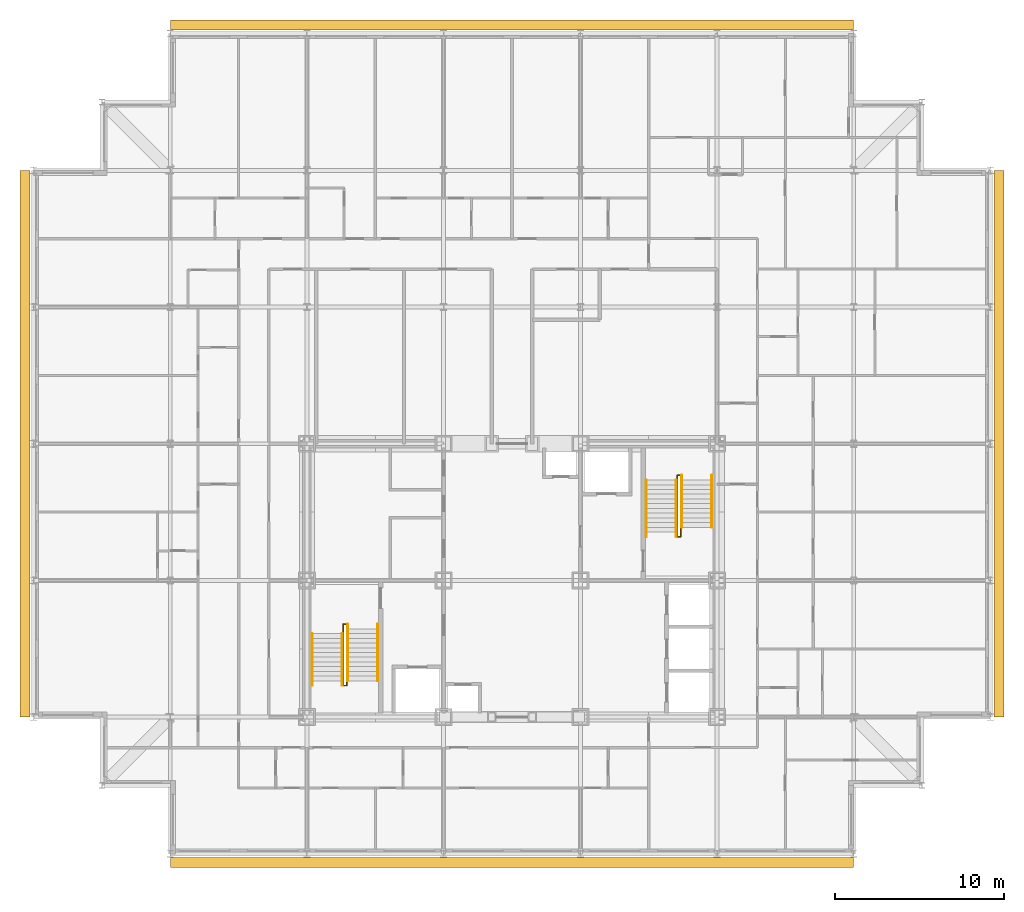
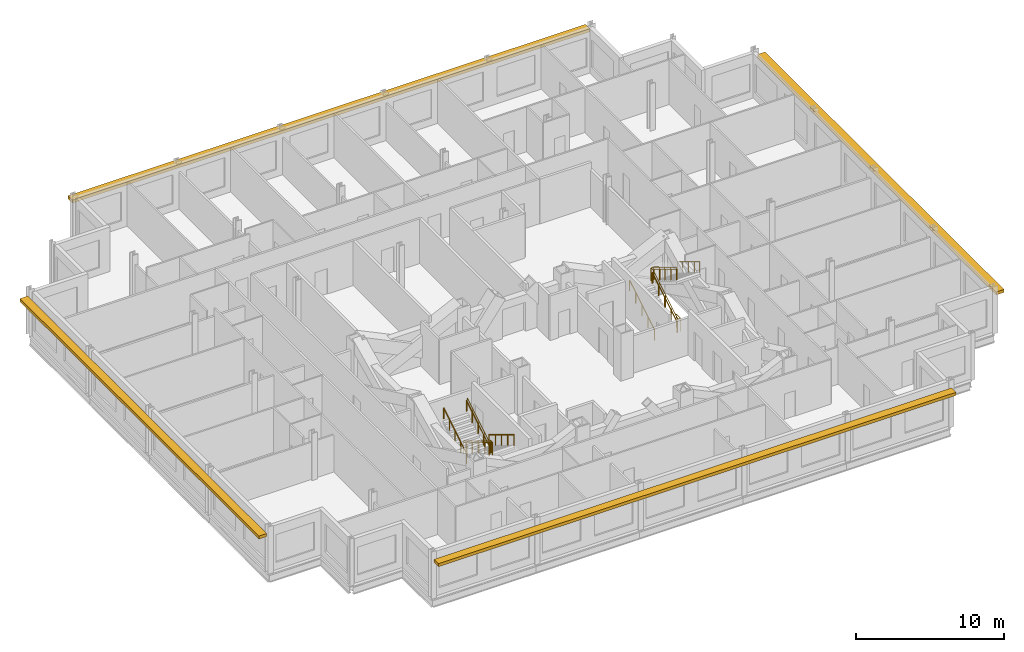
# One storey, part 15 of 15: 10 railings, 4 shading devices.
"""IFC4 building model written with IfcOpenShell, lengths in metres."""

from ifc_helpers import new_model, si_unit, direction, frame, origin, origin_2d, place, context, subcontext, project, spatial, rectangle, circle, extrude, material, type_object, element, save


model = new_model("IFC4")

# Units and contexts
model_context = context("Model", 3, precision=1e-05, world=origin(), true_north=direction((0.0, 1.0)))
body_context = subcontext(model_context, "Body", "Model", "MODEL_VIEW")
ifc_project = project(units=[si_unit("LENGTHUNIT", "METRE"), si_unit("AREAUNIT", "SQUARE_METRE"), si_unit("VOLUMEUNIT", "CUBIC_METRE"), si_unit("PLANEANGLEUNIT", "RADIAN"), si_unit("MASSUNIT", "GRAM", prefix="KILO")], contexts=[model_context])

# Site, building, storey
site_placement = place(None, origin())
site = spatial("IfcSite", under=ifc_project, at=site_placement, CompositionType="ELEMENT")
building_placement = place(site_placement, origin())
building = spatial("IfcBuilding", under=site, at=building_placement, Name="Kopane Lantern Tower", CompositionType="ELEMENT")
storey_placement = place(building_placement, frame((0.0, 0.0, 269.699951171875)))
storey = spatial("IfcBuildingStorey", under=building, at=storey_placement, Name="L69", CompositionType="ELEMENT", Elevation=269.699951171875)

# Railings
ifc_material_1 = material(Name="Steel", Category="steel")
railing_type_1 = type_object("IfcRailingType", Name="STAIR GUARD 1100", PredefinedType="GUARDRAIL", material=ifc_material_1)
railing_1_placement = place(storey_placement, frame((18.35009765625, 29.25, 0.0)))
element("IfcRailing", 1, at=railing_1_placement, inside=storey, type_object=railing_type_1, Name="ST1 well guard L69", PredefinedType="GUARDRAIL", context=body_context, shape_type="SweptSolid", body=[
    extrude(circle(Radius=0.02392578125, at=origin_2d()), frame((0.0, 0.0, 1.076171875), z_axis=(0.0, 1.0, 0.0), x_axis=(-1.0, 0.0, 0.0)), (0.0, 0.0, 1.0), 0.56005859375),
    extrude(circle(Radius=0.02392578125, at=origin_2d()), frame((0.0, 0.56005859375, 1.076171875), z_axis=(1.0, 0.0, 0.0), x_axis=(0.0, 1.0, 0.0)), (0.0, 0.0, 1.0), 0.199951171875),
    extrude(circle(Radius=0.02392578125, at=origin_2d()), frame((0.199951171875, 0.56005859375, 1.076171875), z_axis=(0.0, -0.855368916264, 0.518019321155), x_axis=(1.0, 0.0, 0.0)), (0.0, 0.0, 1.0), 3.92822265625),
    extrude(circle(Radius=0.02392578125, at=origin_2d()), frame((0.199951171875, -2.800048828125, 3.11083984375), z_axis=(0.0, -1.0, 0.0), x_axis=(1.0, 0.0, 0.0)), (0.0, 0.0, 1.0), 0.280029296875),
    extrude(circle(Radius=0.02392578125, at=origin_2d()), frame((0.199951171875, -3.080078125, 3.11083984375), z_axis=(-1.0, 0.0, 0.0), x_axis=(0.0, -1.0, 0.0)), (0.0, 0.0, 1.0), 0.199951171875),
    extrude(circle(Radius=0.02392578125, at=origin_2d()), frame((0.0, -3.080078125, 3.11083984375), z_axis=(0.0, 0.855379917629, 0.518001154937), x_axis=(-1.0, 0.0, 0.0)), (0.0, 0.0, 1.0), 3.600830078125),
    extrude(circle(Radius=0.02099609375, at=origin_2d()), origin(), (0.0, 0.0, 1.0), 1.052001953125),
    extrude(circle(Radius=0.02099609375, at=origin_2d()), frame((0.0, 0.56005859375, 0.0)), (0.0, 0.0, 1.0), 1.052001953125),
    extrude(circle(Radius=0.02099609375, at=origin_2d()), frame((0.199951171875, 0.56005859375, 0.0)), (0.0, 0.0, 1.0), 1.052001953125),
    extrude(circle(Radius=0.02099609375, at=origin_2d()), frame((0.199951171875, -0.280029296875, 0.5087890625)), (0.0, 0.0, 1.0), 1.052001953125),
    extrude(circle(Radius=0.02099609375, at=origin_2d()), frame((0.199951171875, -1.1201171875, 1.017578125)), (0.0, 0.0, 1.0), 1.052001953125),
    extrude(circle(Radius=0.02099609375, at=origin_2d()), frame((0.199951171875, -1.9599609375, 1.526123046875)), (0.0, 0.0, 1.0), 1.052001953125),
    extrude(circle(Radius=0.02099609375, at=origin_2d()), frame((0.199951171875, -2.800048828125, 2.034912109375)), (0.0, 0.0, 1.0), 1.052001953125),
    extrude(circle(Radius=0.02099609375, at=origin_2d()), frame((0.199951171875, -3.080078125, 2.034912109375)), (0.0, 0.0, 1.0), 1.052001953125),
    extrude(circle(Radius=0.02099609375, at=origin_2d()), frame((0.0, -3.080078125, 2.034912109375)), (0.0, 0.0, 1.0), 1.052001953125),
    extrude(circle(Radius=0.02099609375, at=origin_2d()), frame((0.0, -2.31005859375, 2.501220703125)), (0.0, 0.0, 1.0), 1.052001953125),
    extrude(circle(Radius=0.02099609375, at=origin_2d()), frame((0.0, -1.5400390625, 2.967529296875)), (0.0, 0.0, 1.0), 1.052001953125),
    extrude(circle(Radius=0.02099609375, at=origin_2d()), frame((0.0, -0.77001953125, 3.433837890625)), (0.0, 0.0, 1.0), 1.052001953125),
    extrude(circle(Radius=0.02099609375, at=origin_2d()), frame((0.0, 0.0, 3.900146484375)), (0.0, 0.0, 1.0), 1.052001953125),
])
railing_2_placement = place(storey_placement, frame((38.35009765625, 35.550048828125, 0.0)))
element("IfcRailing", 2, at=railing_2_placement, inside=storey, type_object=railing_type_1, Name="ST2 well guard L69", PredefinedType="GUARDRAIL", context=body_context, shape_type="SweptSolid", body=[
    extrude(circle(Radius=0.02392578125, at=origin_2d()), frame((0.0, 0.0, 1.076171875), z_axis=(0.0, -1.0, 0.0), x_axis=(1.0, 0.0, 0.0)), (0.0, 0.0, 1.0), 0.56005859375),
    extrude(circle(Radius=0.02392578125, at=origin_2d()), frame((0.0, -0.56005859375, 1.076171875), z_axis=(-1.0, 0.0, 0.0), x_axis=(0.0, -1.0, 0.0)), (0.0, 0.0, 1.0), 0.2001953125),
    extrude(circle(Radius=0.02392578125, at=origin_2d()), frame((-0.2001953125, -0.56005859375, 1.076171875), z_axis=(0.0, 0.855368916264, 0.518019321155), x_axis=(-1.0, 0.0, 0.0)), (0.0, 0.0, 1.0), 3.92822265625),
    extrude(circle(Radius=0.02392578125, at=origin_2d()), frame((-0.2001953125, 2.800048828125, 3.11083984375), z_axis=(0.0, 1.0, 0.0), x_axis=(-1.0, 0.0, 0.0)), (0.0, 0.0, 1.0), 0.27978515625),
    extrude(circle(Radius=0.02392578125, at=origin_2d()), frame((-0.2001953125, 3.079833984375, 3.11083984375), z_axis=(1.0, 0.0, 0.0), x_axis=(0.0, 1.0, 0.0)), (0.0, 0.0, 1.0), 0.2001953125),
    extrude(circle(Radius=0.02392578125, at=origin_2d()), frame((0.0, 3.079833984375, 3.11083984375), z_axis=(0.0, -0.855361723277, 0.518031198243), x_axis=(1.0, 0.0, 0.0)), (0.0, 0.0, 1.0), 3.6005859375),
    extrude(circle(Radius=0.02099609375, at=origin_2d()), origin(), (0.0, 0.0, 1.0), 1.052001953125),
    extrude(circle(Radius=0.02099609375, at=origin_2d()), frame((0.0, -0.56005859375, 0.0)), (0.0, 0.0, 1.0), 1.052001953125),
    extrude(circle(Radius=0.02099609375, at=origin_2d()), frame((-0.2001953125, -0.56005859375, 0.0)), (0.0, 0.0, 1.0), 1.052001953125),
    extrude(circle(Radius=0.02099609375, at=origin_2d()), frame((-0.2001953125, 0.280029296875, 0.5087890625)), (0.0, 0.0, 1.0), 1.052001953125),
    extrude(circle(Radius=0.02099609375, at=origin_2d()), frame((-0.2001953125, 1.1201171875, 1.017578125)), (0.0, 0.0, 1.0), 1.052001953125),
    extrude(circle(Radius=0.02099609375, at=origin_2d()), frame((-0.2001953125, 1.9599609375, 1.526123046875)), (0.0, 0.0, 1.0), 1.052001953125),
    extrude(circle(Radius=0.02099609375, at=origin_2d()), frame((-0.2001953125, 2.800048828125, 2.034912109375)), (0.0, 0.0, 1.0), 1.052001953125),
    extrude(circle(Radius=0.02099609375, at=origin_2d()), frame((-0.2001953125, 3.079833984375, 2.034912109375)), (0.0, 0.0, 1.0), 1.052001953125),
    extrude(circle(Radius=0.02099609375, at=origin_2d()), frame((0.0, 3.079833984375, 2.034912109375)), (0.0, 0.0, 1.0), 1.052001953125),
    extrude(circle(Radius=0.02099609375, at=origin_2d()), frame((0.0, 2.309814453125, 2.501220703125)), (0.0, 0.0, 1.0), 1.052001953125),
    extrude(circle(Radius=0.02099609375, at=origin_2d()), frame((0.0, 1.5400390625, 2.967529296875)), (0.0, 0.0, 1.0), 1.052001953125),
    extrude(circle(Radius=0.02099609375, at=origin_2d()), frame((0.0, 0.77001953125, 3.433837890625)), (0.0, 0.0, 1.0), 1.052001953125),
    extrude(circle(Radius=0.02099609375, at=origin_2d()), frame((0.0, 0.0, 3.900146484375)), (0.0, 0.0, 1.0), 1.052001953125),
])
ifc_material_2 = material(Name="Steel", Category="steel")
railing_type_2 = type_object("IfcRailingType", Name="STAIR HANDRAIL 900", PredefinedType="HANDRAIL", material=ifc_material_2)
for number, where, name in (
    (3, (20.389892578125, 29.81005859375, 0.0), "ST1 handrail L69 flight 1"),
    (4, (18.610107421875, 29.81005859375, 0.0), "ST1 handrail L69 flight 1"),
):
    element("IfcRailing", number, at=place(storey_placement, frame(where)), inside=storey, type_object=railing_type_2, Name=name, PredefinedType="HANDRAIL", context=body_context, shape_type="SweptSolid", body=[
        extrude(circle(Radius=0.02392578125, at=origin_2d()), frame((0.0, 0.0, 0.8759765625), z_axis=(0.0, -0.855368916264, 0.518019321155), x_axis=(1.0, 0.0, 0.0)), (0.0, 0.0, 1.0), 3.92822265625),
        extrude(circle(Radius=0.02099609375, at=origin_2d()), origin(), (0.0, 0.0, 1.0), 0.851806640625),
        extrude(circle(Radius=0.02099609375, at=origin_2d()), frame((0.0, -0.840087890625, 0.5087890625)), (0.0, 0.0, 1.0), 0.851806640625),
        extrude(circle(Radius=0.02099609375, at=origin_2d()), frame((0.0, -1.68017578125, 1.017578125)), (0.0, 0.0, 1.0), 0.851806640625),
        extrude(circle(Radius=0.02099609375, at=origin_2d()), frame((0.0, -2.52001953125, 1.526123046875)), (0.0, 0.0, 1.0), 0.851806640625),
        extrude(circle(Radius=0.02099609375, at=origin_2d()), frame((0.0, -3.360107421875, 2.034912109375)), (0.0, 0.0, 1.0), 0.851806640625),
    ])
for number, where, name in (
    (5, (16.510009765625, 26.169921875, 2.034912109375), "ST1 handrail L69 flight 2"),
    (6, (18.2900390625, 26.169921875, 2.034912109375), "ST1 handrail L69 flight 2"),
):
    element("IfcRailing", number, at=place(storey_placement, frame(where)), inside=storey, type_object=railing_type_2, Name=name, PredefinedType="HANDRAIL", context=body_context, shape_type="SweptSolid", body=[
        extrude(circle(Radius=0.02392578125, at=origin_2d()), frame((0.0, 0.0, 0.8759765625), z_axis=(0.0, 0.855379917629, 0.518001154937), x_axis=(-1.0, 0.0, 0.0)), (0.0, 0.0, 1.0), 3.600830078125),
        extrude(circle(Radius=0.02099609375, at=origin_2d()), origin(), (0.0, 0.0, 1.0), 0.851806640625),
        extrude(circle(Radius=0.02099609375, at=origin_2d()), frame((0.0, 0.77001953125, 0.46630859375)), (0.0, 0.0, 1.0), 0.851806640625),
        extrude(circle(Radius=0.02099609375, at=origin_2d()), frame((0.0, 1.5400390625, 0.9326171875)), (0.0, 0.0, 1.0), 0.851806640625),
        extrude(circle(Radius=0.02099609375, at=origin_2d()), frame((0.0, 2.31005859375, 1.39892578125)), (0.0, 0.0, 1.0), 0.851806640625),
        extrude(circle(Radius=0.02099609375, at=origin_2d()), frame((0.0, 3.080078125, 1.865234375)), (0.0, 0.0, 1.0), 0.851806640625),
    ])
for number, where, name in (
    (7, (36.31005859375, 34.989990234375, 0.0), "ST2 handrail L69 flight 1"),
    (8, (38.090087890625, 34.989990234375, 0.0), "ST2 handrail L69 flight 1"),
):
    element("IfcRailing", number, at=place(storey_placement, frame(where)), inside=storey, type_object=railing_type_2, Name=name, PredefinedType="HANDRAIL", context=body_context, shape_type="SweptSolid", body=[
        extrude(circle(Radius=0.02392578125, at=origin_2d()), frame((0.0, 0.0, 0.8759765625), z_axis=(0.0, 0.855368916264, 0.518019321155), x_axis=(-1.0, 0.0, 0.0)), (0.0, 0.0, 1.0), 3.92822265625),
        extrude(circle(Radius=0.02099609375, at=origin_2d()), origin(), (0.0, 0.0, 1.0), 0.851806640625),
        extrude(circle(Radius=0.02099609375, at=origin_2d()), frame((0.0, 0.840087890625, 0.5087890625)), (0.0, 0.0, 1.0), 0.851806640625),
        extrude(circle(Radius=0.02099609375, at=origin_2d()), frame((0.0, 1.68017578125, 1.017578125)), (0.0, 0.0, 1.0), 0.851806640625),
        extrude(circle(Radius=0.02099609375, at=origin_2d()), frame((0.0, 2.52001953125, 1.526123046875)), (0.0, 0.0, 1.0), 0.851806640625),
        extrude(circle(Radius=0.02099609375, at=origin_2d()), frame((0.0, 3.360107421875, 2.034912109375)), (0.0, 0.0, 1.0), 0.851806640625),
    ])
for number, where, name in (
    (9, (40.18994140625, 38.6298828125, 2.034912109375), "ST2 handrail L69 flight 2"),
    (10, (38.409912109375, 38.6298828125, 2.034912109375), "ST2 handrail L69 flight 2"),
):
    element("IfcRailing", number, at=place(storey_placement, frame(where)), inside=storey, type_object=railing_type_2, Name=name, PredefinedType="HANDRAIL", context=body_context, shape_type="SweptSolid", body=[
        extrude(circle(Radius=0.02392578125, at=origin_2d()), frame((0.0, 0.0, 0.8759765625), z_axis=(0.0, -0.855361723277, 0.518031198243), x_axis=(1.0, 0.0, 0.0)), (0.0, 0.0, 1.0), 3.6005859375),
        extrude(circle(Radius=0.02099609375, at=origin_2d()), origin(), (0.0, 0.0, 1.0), 0.851806640625),
        extrude(circle(Radius=0.02099609375, at=origin_2d()), frame((0.0, -0.77001953125, 0.46630859375)), (0.0, 0.0, 1.0), 0.851806640625),
        extrude(circle(Radius=0.02099609375, at=origin_2d()), frame((0.0, -1.5400390625, 0.9326171875)), (0.0, 0.0, 1.0), 0.851806640625),
        extrude(circle(Radius=0.02099609375, at=origin_2d()), frame((0.0, -2.309814453125, 1.39892578125)), (0.0, 0.0, 1.0), 0.851806640625),
        extrude(circle(Radius=0.02099609375, at=origin_2d()), frame((0.0, -3.079833984375, 1.865234375)), (0.0, 0.0, 1.0), 0.851806640625),
    ])

# Shading devices
ifc_material_3 = material(Name="Terracotta rainscreen on light steel framing", Category="masonry")
shading_device_type = type_object("IfcShadingDeviceType", Name="SUNSHADE BAND SB1 600 TERRACOTTA", PredefinedType="USERDEFINED", material=ifc_material_3)
shading_device_1_placement = place(storey_placement, frame((28.35009765625, 15.6904296875, 3.0), z_axis=(0.0, 0.0, 1.0), x_axis=(1.0, 0.0, 0.0)))
element("IfcShadingDevice", 11, at=shading_device_1_placement, inside=storey, type_object=shading_device_type, Name="Sunshade band S L69", ObjectType="SUNSHADE BAND", PredefinedType="USERDEFINED", context=body_context, shape_type="SweptSolid", body=[
    extrude(rectangle(XDim=40.5, YDim=0.60009765625, at=origin_2d()), origin(), (0.0, 0.0, 1.0), 0.25),
])
shading_device_2_placement = place(storey_placement, frame((57.20361328125, 40.5, 3.0), z_axis=(0.0, 0.0, 1.0), x_axis=(0.0, 1.0, 0.0)))
element("IfcShadingDevice", 12, at=shading_device_2_placement, inside=storey, type_object=shading_device_type, Name="Sunshade band E L69", ObjectType="SUNSHADE BAND", PredefinedType="USERDEFINED", context=body_context, shape_type="SweptSolid", body=[
    extrude(rectangle(XDim=32.39990234375, YDim=0.60009765625, at=origin_2d()), origin(), (0.0, 0.0, 1.0), 0.25),
])
shading_device_3_placement = place(storey_placement, frame((28.35009765625, 65.3095703125, 3.0), z_axis=(0.0, 0.0, 1.0), x_axis=(-1.0, 0.0, 0.0)))
element("IfcShadingDevice", 13, at=shading_device_3_placement, inside=storey, type_object=shading_device_type, Name="Sunshade band N L69", ObjectType="SUNSHADE BAND", PredefinedType="USERDEFINED", context=body_context, shape_type="SweptSolid", body=[
    extrude(rectangle(XDim=40.5, YDim=0.60009765625, at=origin_2d()), origin(), (0.0, 0.0, 1.0), 0.25),
])
shading_device_4_placement = place(storey_placement, frame((-0.50341796875, 40.5, 3.0), z_axis=(0.0, 0.0, 1.0), x_axis=(0.0, -1.0, 0.0)))
element("IfcShadingDevice", 14, at=shading_device_4_placement, inside=storey, type_object=shading_device_type, Name="Sunshade band W L69", ObjectType="SUNSHADE BAND", PredefinedType="USERDEFINED", context=body_context, shape_type="SweptSolid", body=[
    extrude(rectangle(XDim=32.39990234375, YDim=0.60009765625, at=origin_2d()), origin(), (0.0, 0.0, 1.0), 0.25),
])

save(model, "model.ifc")
